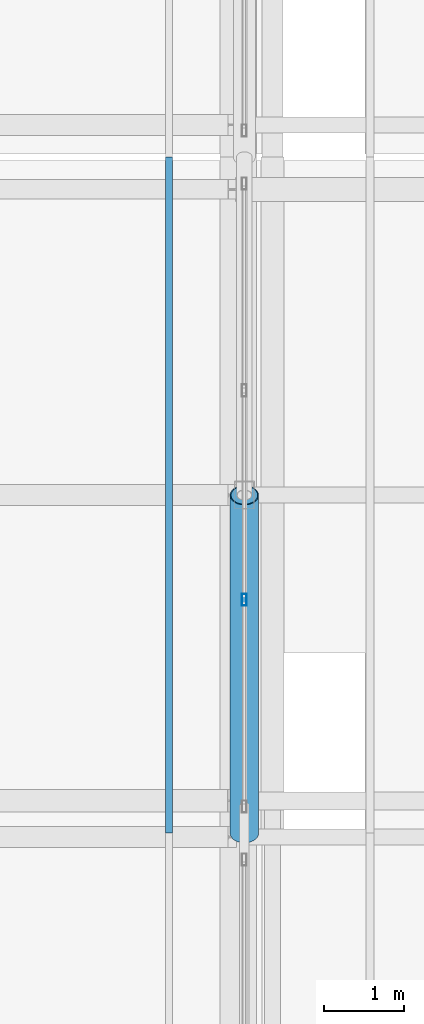
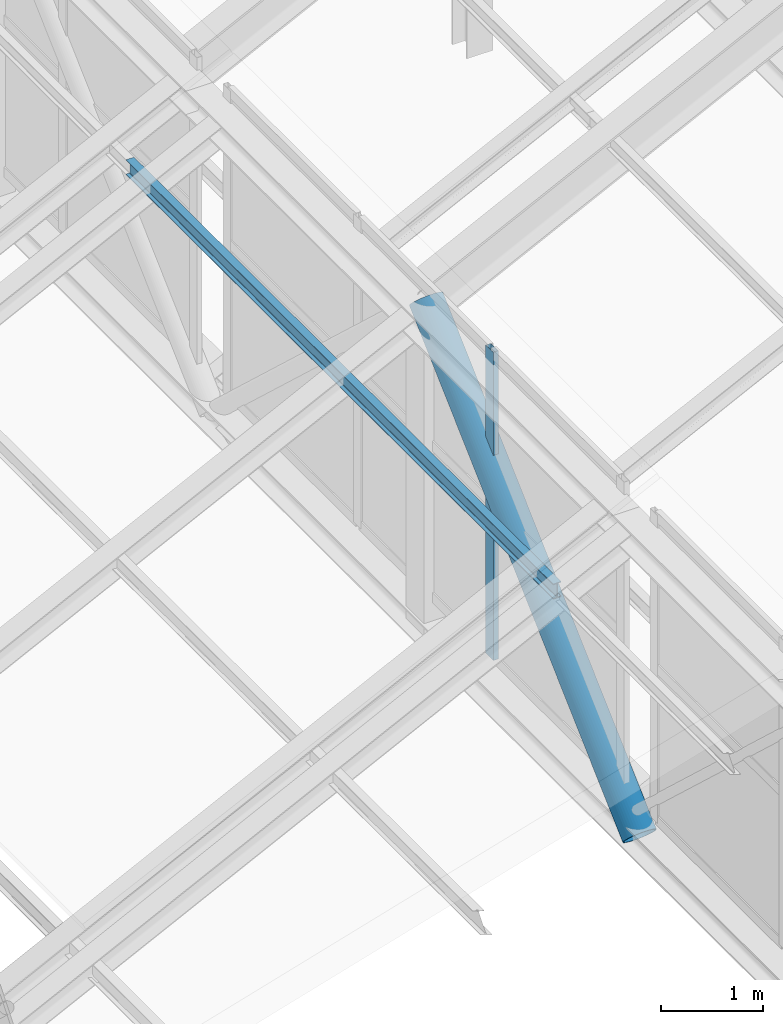
# One storey, part 28 of 101: 3 members, 1 element without a shape of its own.
"""IFC4 building model written with IfcOpenShell, lengths in metres."""

from ifc_helpers import new_model, si_unit, direction, frame, origin, origin_2d, place, context, subcontext, project, spatial, hollow_rectangle, hollow_circle, i_section, extrude, material, layer, layer_set, material_profile, profile_set, type_object, element, aggregate, save


model = new_model("IFC4")

# Units and contexts
model_context = context("Model", 3, precision=1e-05, world=origin(), true_north=direction((0.0, 1.0)))
body_context = subcontext(model_context, "Body", "Model", "MODEL_VIEW")
ifc_project = project(units=[si_unit("LENGTHUNIT", "METRE"), si_unit("AREAUNIT", "SQUARE_METRE"), si_unit("VOLUMEUNIT", "CUBIC_METRE"), si_unit("PLANEANGLEUNIT", "RADIAN"), si_unit("MASSUNIT", "GRAM", prefix="KILO")], contexts=[model_context])

# Site, building, storey
site_placement = place(None, origin())
site = spatial("IfcSite", under=ifc_project, at=site_placement, CompositionType="ELEMENT")
building_placement = place(site_placement, origin())
building = spatial("IfcBuilding", under=site, at=building_placement, Name="Zizhar Promenade General Hospital", CompositionType="ELEMENT")
storey_placement = place(building_placement, frame((0.0, 0.0, 14.39990234375)))
storey = spatial("IfcBuildingStorey", under=building, at=storey_placement, Name="L03", CompositionType="ELEMENT", Elevation=14.39990234375)

# Curtain wall, member
ifc_material_1 = material(Name="Anodised aluminium 6063-T6 and low-E glass", Category="aluminium")
ifc_layer = layer(ifc_material_1, 0.159912109375)
ifc_layer_set = layer_set([ifc_layer], Name="Anodised aluminium 6063-T6 and low-E glass")
curtain_wall_type = type_object("IfcCurtainWallType", Name="CW-SAW-NL2", PredefinedType="NOTDEFINED", material=ifc_layer_set)
curtain_wall_placement = place(storey_placement, origin())
curtain_wall = element("IfcCurtainWall", 1, at=curtain_wall_placement, inside=storey, type_object=curtain_wall_type, Name="Sawtooth Clerestory Light B3-S2", PredefinedType="NOTDEFINED")
ifc_material_2 = material(Name="Anodised aluminium 6063-T6", Category="aluminium")
ifc_material_profile_1 = material_profile(ifc_material_2, hollow_rectangle(XDim=0.06005859375, YDim=0.14990234375, WallThickness=0.00390625, at=origin_2d()))
ifc_profile_set_1 = profile_set([ifc_material_profile_1], Name="Anodised aluminium 6063-T6")
member_type_1 = type_object("IfcMemberType", Name="CWM-ALU-150x60", PredefinedType="MULLION", material=ifc_profile_set_1)
member_1_placement = place(storey_placement, frame((93.60009765625, 36.5, 3.85009765625), z_axis=(0.0, 0.0, 1.0), x_axis=(-1.0, 0.0, 0.0)))
member_1 = element("IfcMember", 2, at=member_1_placement, type_object=member_type_1, Name="CW-04 mullion 2", PredefinedType="MULLION", context=body_context, shape_type="SweptSolid", body=[
    extrude(hollow_rectangle(XDim=0.06005859375, YDim=0.14990234375, WallThickness=0.00390625, at=origin_2d()), origin(), (0.0, 0.0, 1.0), 3.699951171875),
])
aggregate(curtain_wall, [member_1])

# Members
ifc_material_3 = material(Name="Steel S355", Category="steel")
ifc_material_profile_2 = material_profile(ifc_material_3, hollow_circle(Radius=0.177734375, WallThickness=0.012451171875, at=origin_2d()))
ifc_profile_set_2 = profile_set([ifc_material_profile_2], Name="Steel S355")
member_type_2 = type_object("IfcMemberType", Name="MEM-DIAG-CHS356", PredefinedType="BRACE", material=ifc_profile_set_2)
member_2_placement = place(storey_placement, frame((93.60009765625, 33.60009765625, 3.4501953125), z_axis=(0.0, 0.732798043082, 0.680446197767), x_axis=(-1.0, 0.0, 0.0)))
element("IfcMember", 3, at=member_2_placement, inside=storey, type_object=member_type_2, Name="Sawtooth Truss Frame 4 Diagonal A2", PredefinedType="BRACE", context=body_context, shape_type="SweptSolid", body=[
    extrude(hollow_circle(Radius=0.177734375, WallThickness=0.012451171875, at=origin_2d()), origin(), (0.0, 0.0, 1.0), 5.7314453125),
])
ifc_material_4 = material(Name="Steel S355", Category="steel")
ifc_material_profile_3 = material_profile(ifc_material_4, i_section(OverallWidth=0.091064453125, OverallDepth=0.179931640625, WebThickness=0.00537109375, FlangeThickness=0.008056640625, FilletRadius=0.009033203125, at=origin_2d()))
ifc_profile_set_3 = profile_set([ifc_material_profile_3], Name="Steel S355")
member_type_3 = type_object("IfcMemberType", Name="MEM-PURL-IPE180", PredefinedType="PURLIN", material=ifc_profile_set_3)
member_3_placement = place(storey_placement, frame((92.6640625, 33.60009765625, 6.72509765625), z_axis=(0.0, 1.0, 0.0), x_axis=(-1.0, 0.0, 0.0)))
element("IfcMember", 4, at=member_3_placement, inside=storey, type_object=member_type_3, Name="Sawtooth Bay 3 Purlin 2-3", PredefinedType="PURLIN", context=body_context, shape_type="SweptSolid", body=[
    extrude(i_section(OverallWidth=0.091064453125, OverallDepth=0.179931640625, WebThickness=0.00537109375, FlangeThickness=0.008056640625, FilletRadius=0.009033203125, at=origin_2d()), origin(), (0.0, 0.0, 1.0), 8.39990234375),
])

save(model, "model.ifc")
